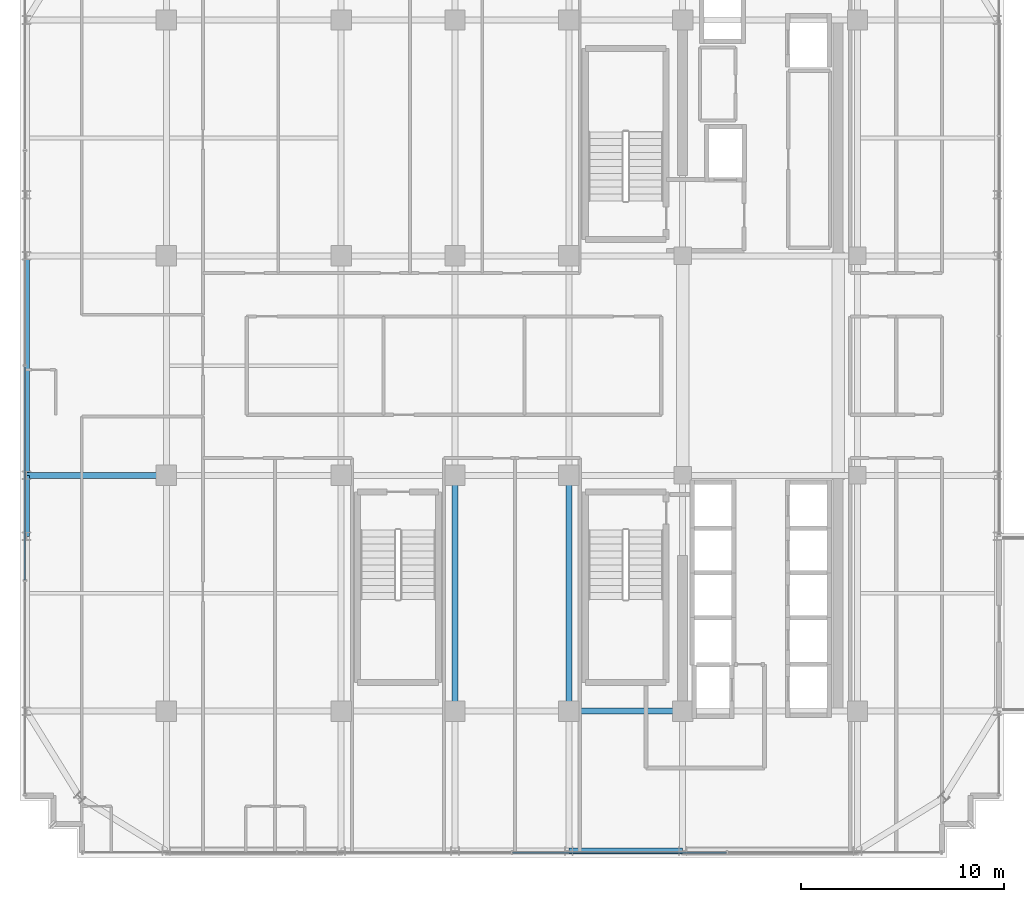
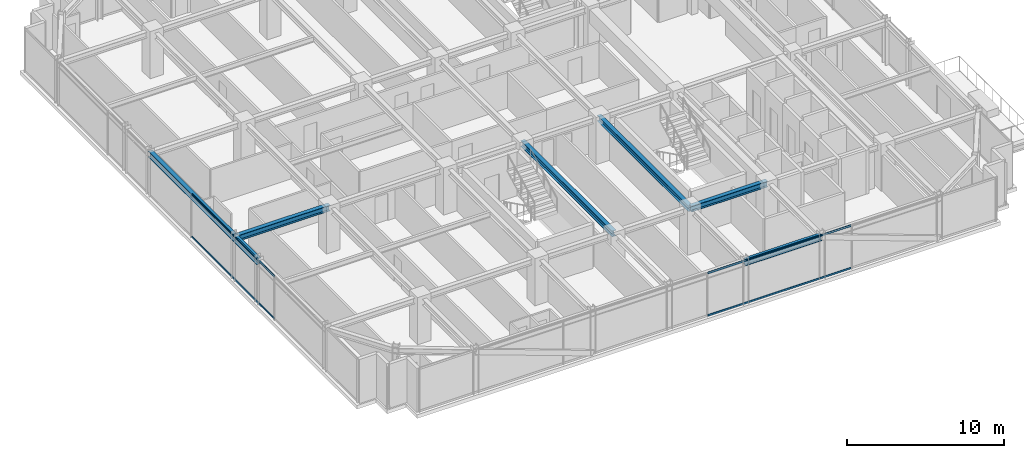
# One storey, part 9 of 43: 7 beams, 4 members, 2 elements without a shape of their own.
"""IFC4 building model written with IfcOpenShell, lengths in metres."""

from ifc_helpers import new_model, si_unit, direction, frame, origin, origin_2d, place, context, subcontext, project, spatial, hollow_rectangle, i_section, extrude, source, transform, mapped, material, material_profile, profile_set, type_object, element, aggregate, save


model = new_model("IFC4")

# Units and contexts
model_context = context("Model", 3, precision=1e-05, world=origin(), true_north=direction((0.0, 1.0)))
body_context = subcontext(model_context, "Body", "Model", "MODEL_VIEW")
ifc_project = project(units=[si_unit("LENGTHUNIT", "METRE"), si_unit("AREAUNIT", "SQUARE_METRE"), si_unit("VOLUMEUNIT", "CUBIC_METRE"), si_unit("PLANEANGLEUNIT", "RADIAN"), si_unit("MASSUNIT", "GRAM", prefix="KILO")], contexts=[model_context])

# Site, building, storey
site_placement = place(None, origin())
site = spatial("IfcSite", under=ifc_project, at=site_placement, CompositionType="ELEMENT")
building_placement = place(site_placement, origin())
building = spatial("IfcBuilding", under=site, at=building_placement, Name="Nahalor Promenade Grand Hotel", CompositionType="ELEMENT")
storey_placement = place(building_placement, frame((0.0, 0.0, 204.89990234375)))
storey = spatial("IfcBuildingStorey", under=building, at=storey_placement, Name="L52", CompositionType="ELEMENT", Elevation=204.89990234375)

# Beams
ifc_material_1 = material(Name="Steel S355JR", Category="steel")
ifc_material_profile_1 = material_profile(ifc_material_1, i_section(OverallWidth=0.3, OverallDepth=0.45, WebThickness=0.014, FlangeThickness=0.026, at=origin_2d()), Name="HEB 450")
ifc_profile_set_1 = profile_set([ifc_material_profile_1], Name="Steel S355JR")
beam_type_1 = type_object("IfcBeamType", Name="Beam-Spandrel-HEB450", PredefinedType="SPANDREL", material=ifc_profile_set_1)
shared_shape_1 = source(origin(), body_context, "Body", "SweptSolid", [
    extrude(i_section(OverallWidth=0.3, OverallDepth=0.45, WebThickness=0.014, FlangeThickness=0.026, at=origin_2d()), origin(), (0.0, 0.0, 1.0), 5.599853515625),
])
beam_1_placement = place(storey_placement, frame((2.800048828125, -23.8798828125, 3.18505859375), z_axis=(1.0, 0.0, 0.0), x_axis=(0.0, 1.0, 0.0)))
element("IfcBeam", 1, at=beam_1_placement, inside=storey, type_object=beam_type_1, Name="BM-L52-SP-S-3", PredefinedType="SPANDREL", context=body_context, shape_type="MappedRepresentation", body=[
    mapped(shared_shape_1, transform((0.0, 0.0, 0.0), scale=1.0)),
])
shared_shape_2 = source(origin(), body_context, "Body", "SweptSolid", [
    extrude(i_section(OverallWidth=0.3, OverallDepth=0.45, WebThickness=0.014, FlangeThickness=0.026, at=origin_2d()), origin(), (0.0, 0.0, 1.0), 3.0),
])
beam_2_placement = place(storey_placement, frame((-23.8798828125, -8.39990234375, 3.18505859375), z_axis=(0.0, 1.0, 0.0), x_axis=(-1.0, 0.0, 0.0)))
element("IfcBeam", 2, at=beam_2_placement, inside=storey, type_object=beam_type_1, Name="BM-L52-SP-W-1", PredefinedType="SPANDREL", context=body_context, shape_type="MappedRepresentation", body=[
    mapped(shared_shape_2, transform((0.0, 0.0, 0.0), scale=1.0)),
])
shared_shape_3 = source(origin(), body_context, "Body", "SweptSolid", [
    extrude(i_section(OverallWidth=0.3, OverallDepth=0.45, WebThickness=0.014, FlangeThickness=0.026, at=origin_2d()), origin(), (0.0, 0.0, 1.0), 10.7998046875),
])
beam_3_placement = place(storey_placement, frame((-23.8798828125, -5.39990234375, 3.18505859375), z_axis=(0.0, 1.0, 0.0), x_axis=(-1.0, 0.0, 0.0)))
element("IfcBeam", 3, at=beam_3_placement, inside=storey, type_object=beam_type_1, Name="BM-L52-SP-W-2", PredefinedType="SPANDREL", context=body_context, shape_type="MappedRepresentation", body=[
    mapped(shared_shape_3, transform((0.0, 0.0, 0.0), scale=1.0)),
])
ifc_material_profile_2 = material_profile(ifc_material_1, i_section(OverallWidth=0.3, OverallDepth=0.45, WebThickness=0.014, FlangeThickness=0.026, at=origin_2d()), Name="HEB 450")
ifc_profile_set_2 = profile_set([ifc_material_profile_2], Name="Steel S355JR")
beam_type_2 = type_object("IfcBeamType", Name="Beam-Girder-HEB450", PredefinedType="BEAM", material=ifc_profile_set_2)
shared_shape_4 = source(origin(), body_context, "Body", "SweptSolid", [
    extrude(i_section(OverallWidth=0.3, OverallDepth=0.45, WebThickness=0.014, FlangeThickness=0.026, at=origin_2d()), origin(), (0.0, 0.0, 1.0), 6.8798828125),
])
beam_4_placement = place(storey_placement, frame((-23.8798828125, -5.39990234375, 3.18505859375), z_axis=(1.0, 0.0, 0.0), x_axis=(0.0, 1.0, 0.0)))
element("IfcBeam", 4, at=beam_4_placement, inside=storey, type_object=beam_type_2, Name="BM-L52-GX-1-0", PredefinedType="BEAM", context=body_context, shape_type="MappedRepresentation", body=[
    mapped(shared_shape_4, transform((0.0, 0.0, 0.0), scale=1.0)),
])
shared_shape_5 = source(origin(), body_context, "Body", "SweptSolid", [
    extrude(i_section(OverallWidth=0.3, OverallDepth=0.45, WebThickness=0.014, FlangeThickness=0.026, at=origin_2d()), origin(), (0.0, 0.0, 1.0), 5.599853515625),
])
beam_5_placement = place(storey_placement, frame((2.800048828125, -17.0, 3.18505859375), z_axis=(1.0, 0.0, 0.0), x_axis=(0.0, 1.0, 0.0)))
element("IfcBeam", 5, at=beam_5_placement, inside=storey, type_object=beam_type_2, Name="BM-L52-GX-0-4", PredefinedType="BEAM", context=body_context, shape_type="MappedRepresentation", body=[
    mapped(shared_shape_5, transform((0.0, 0.0, 0.0), scale=1.0)),
])
shared_shape_6 = source(origin(), body_context, "Body", "SweptSolid", [
    extrude(i_section(OverallWidth=0.3, OverallDepth=0.45, WebThickness=0.014, FlangeThickness=0.026, at=origin_2d()), origin(), (0.0, 0.0, 1.0), 11.60009765625),
])
for number, where, z_axis, x_axis, name in (
    (6, (-2.800048828125, -17.0, 3.18505859375), (0.0, 1.0, 0.0), (-1.0, 0.0, 0.0), "BM-L52-GY-2-1"),
    (7, (2.800048828125, -17.0, 3.18505859375), (0.0, 1.0, 0.0), (-1.0, 0.0, 0.0), "BM-L52-GY-3-1"),
):
    element("IfcBeam", number, at=place(storey_placement, frame(where, z_axis=z_axis, x_axis=x_axis)), inside=storey, type_object=beam_type_2, Name=name, PredefinedType="BEAM", context=body_context, shape_type="MappedRepresentation", body=[
        mapped(shared_shape_6, transform((0.0, 0.0, 0.0), scale=1.0)),
    ])

# Curtain wall, members
ifc_material_2 = material(Name="Anodised Bronze Aluminium EN AW-6063 T6", Category="aluminium")
curtain_wall_type = type_object("IfcCurtainWallType", Name="CW2 Typical Hotel Flush Bronze Unitised Curtain Wall", PredefinedType="USERDEFINED", material=ifc_material_2)
curtain_wall_1_placement = place(storey_placement, origin())
curtain_wall_1 = element("IfcCurtainWall", 8, at=curtain_wall_1_placement, inside=storey, type_object=curtain_wall_type, Name="L52 Curtain Wall CW-L52-S-1", ObjectType="UNITISED_CURTAIN_WALL", PredefinedType="USERDEFINED")
ifc_material_profile_3 = material_profile(ifc_material_2, hollow_rectangle(XDim=0.065, YDim=0.13, WallThickness=0.004, at=origin_2d()), Name="CWT 65x130x4")
ifc_profile_set_3 = profile_set([ifc_material_profile_3], Name="Anodised Bronze Aluminium EN AW-6063 T6")
member_type = type_object("IfcMemberType", Name="CWT2 Typical Bronze Transom 65x130", PredefinedType="USERDEFINED", material=ifc_profile_set_3)
shared_shape_7 = source(origin(), body_context, "Body", "SweptSolid", [
    extrude(hollow_rectangle(XDim=0.065, YDim=0.13, WallThickness=0.004, at=origin_2d()), origin(), (0.0, 0.0, 1.0), 10.51513671875),
])
member_1_placement = place(storey_placement, frame((0.032470703125, -23.9599609375, 0.065185546875), z_axis=(1.0, 0.0, 0.0), x_axis=(0.0, 1.0, 0.0)))
member_1 = element("IfcMember", 9, at=member_1_placement, type_object=member_type, Name="CW-L52-S-1 Transom 2-0", ObjectType="TRANSOM", PredefinedType="USERDEFINED", context=body_context, shape_type="MappedRepresentation", body=[
    mapped(shared_shape_7, transform((0.0, 0.0, 0.0), scale=1.0)),
])
member_2_placement = place(storey_placement, frame((0.032470703125, -23.9599609375, 3.34521484375), z_axis=(1.0, 0.0, 0.0), x_axis=(0.0, 1.0, 0.0)))
member_2 = element("IfcMember", 10, at=member_2_placement, type_object=member_type, Name="CW-L52-S-1 Transom 2-1", ObjectType="TRANSOM", PredefinedType="USERDEFINED", context=body_context, shape_type="MappedRepresentation", body=[
    mapped(shared_shape_7, transform((0.0, 0.0, 0.0), scale=1.0)),
])
aggregate(curtain_wall_1, [member_1, member_2])

curtain_wall_2_placement = place(storey_placement, origin())
curtain_wall_2 = element("IfcCurtainWall", 11, at=curtain_wall_2_placement, inside=storey, type_object=curtain_wall_type, Name="L52 Curtain Wall CW-L52-W-1", ObjectType="UNITISED_CURTAIN_WALL", PredefinedType="USERDEFINED")
member_3_placement = place(storey_placement, frame((-23.9599609375, -10.547607421875, 0.065185546875), z_axis=(0.0, 1.0, 0.0), x_axis=(-1.0, 0.0, 0.0)))
member_3 = element("IfcMember", 12, at=member_3_placement, type_object=member_type, Name="CW-L52-W-1 Transom 1-0", ObjectType="TRANSOM", PredefinedType="USERDEFINED", context=body_context, shape_type="MappedRepresentation", body=[
    mapped(shared_shape_7, transform((0.0, 0.0, 0.0), scale=1.0)),
])
member_4_placement = place(storey_placement, frame((-23.9599609375, -10.547607421875, 3.34521484375), z_axis=(0.0, 1.0, 0.0), x_axis=(-1.0, 0.0, 0.0)))
member_4 = element("IfcMember", 13, at=member_4_placement, type_object=member_type, Name="CW-L52-W-1 Transom 1-1", ObjectType="TRANSOM", PredefinedType="USERDEFINED", context=body_context, shape_type="MappedRepresentation", body=[
    mapped(shared_shape_7, transform((0.0, 0.0, 0.0), scale=1.0)),
])
aggregate(curtain_wall_2, [member_3, member_4])

save(model, "model.ifc")
